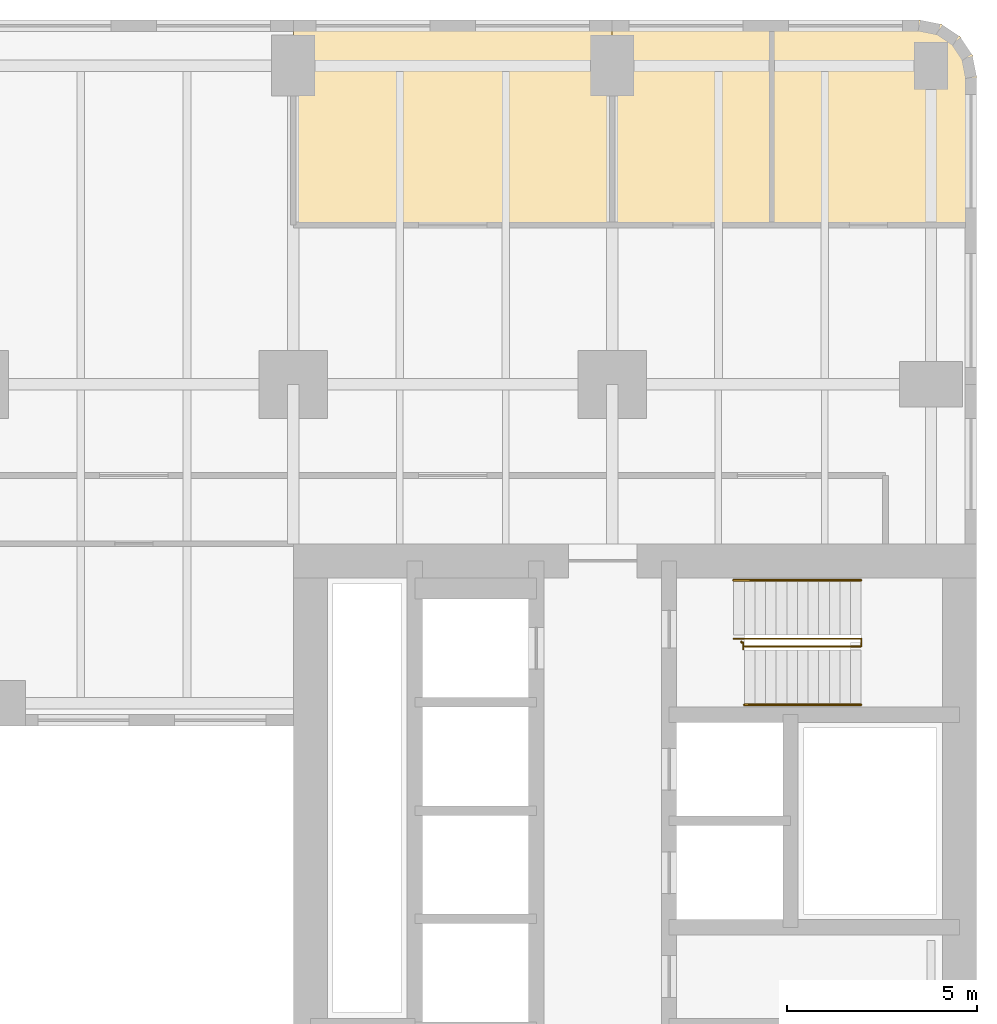
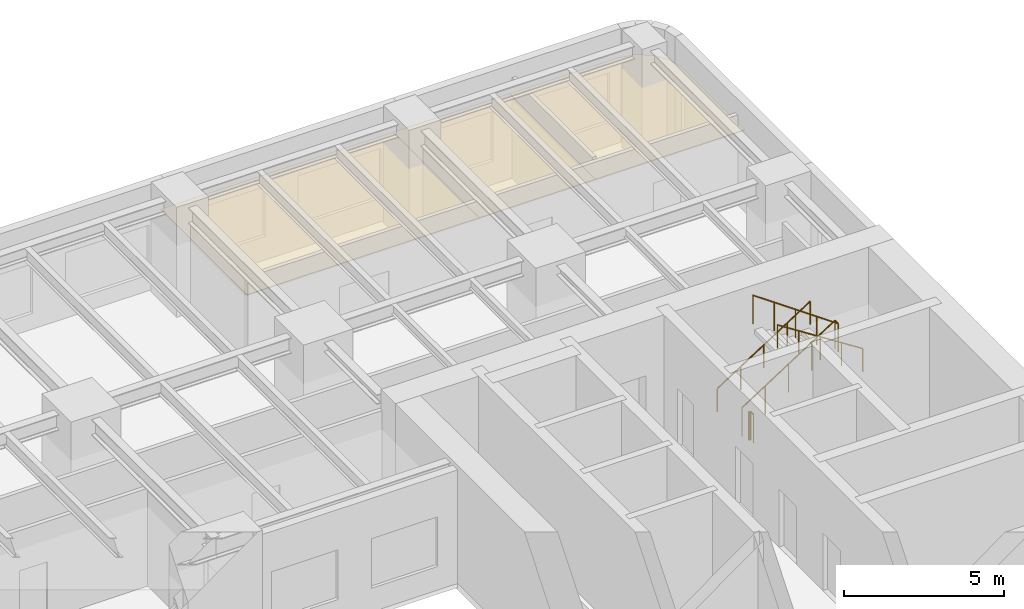
# One storey, part 14 of 14: 4 railings, 3 coverings.
"""IFC4 building model written with IfcOpenShell, lengths in metres."""

from ifc_helpers import new_model, si_unit, direction, frame, origin, origin_2d, place, context, subcontext, project, spatial, polyline, circle, outline, extrude, material, layer, layer_set, type_object, element, save


model = new_model("IFC4")

# Units and contexts
model_context = context("Model", 3, precision=1e-05, world=origin(), true_north=direction((0.0, 1.0)))
body_context = subcontext(model_context, "Body", "Model", "MODEL_VIEW")
ifc_project = project(units=[si_unit("LENGTHUNIT", "METRE"), si_unit("AREAUNIT", "SQUARE_METRE"), si_unit("VOLUMEUNIT", "CUBIC_METRE"), si_unit("PLANEANGLEUNIT", "RADIAN"), si_unit("MASSUNIT", "GRAM", prefix="KILO")], contexts=[model_context])

# Site, building, storey
site_placement = place(None, origin())
site = spatial("IfcSite", under=ifc_project, at=site_placement, CompositionType="ELEMENT")
building_placement = place(site_placement, origin())
building = spatial("IfcBuilding", under=site, at=building_placement, Name="Claustro Exchange Tower", CompositionType="ELEMENT")
storey_placement = place(building_placement, frame((0.0, 0.0, 23.39990234375)))
storey = spatial("IfcBuildingStorey", under=building, at=storey_placement, Name="L05", CompositionType="ELEMENT", Elevation=23.39990234375)

# Coverings
ifc_material_1 = material(Name="Gypsum board ceiling", Category="gypsum board")
ifc_layer = layer(ifc_material_1, 0.02490234375)
ifc_layer_set = layer_set([ifc_layer], Name="Gypsum board ceiling")
covering_type = type_object("IfcCoveringType", Name="CL2 plasterboard ceiling", PredefinedType="CEILING", material=ifc_layer_set)
covering_1_placement = place(storey_placement, frame((0.0, 0.0, 3.0)))
element("IfcCovering", 1, at=covering_1_placement, inside=storey, type_object=covering_type, Name="Ceiling CL2 L05-18", PredefinedType="CEILING", context=body_context, shape_type="SweptSolid", body=[
    extrude(outline(polyline([(42.0, 51.60009765625), (33.60009765625, 51.60009765625), (33.60009765625, 46.199951171875), (42.0, 46.199951171875), (42.0, 51.60009765625)])), origin(), (0.0, 0.0, 1.0), 0.025146484375),
])
covering_2_placement = place(storey_placement, frame((0.0, 0.0, 3.0)))
element("IfcCovering", 2, at=covering_2_placement, inside=storey, type_object=covering_type, Name="Ceiling CL2 L05-19", PredefinedType="CEILING", context=body_context, shape_type="SweptSolid", body=[
    extrude(outline(polyline([(46.199951171875, 51.60009765625), (42.0, 51.60009765625), (42.0, 46.199951171875), (46.199951171875, 46.199951171875), (46.199951171875, 51.60009765625)])), origin(), (0.0, 0.0, 1.0), 0.025146484375),
])
covering_3_placement = place(storey_placement, frame((0.0, 0.0, 3.0)))
element("IfcCovering", 3, at=covering_3_placement, inside=storey, type_object=covering_type, Name="Ceiling CL2 L05-20", PredefinedType="CEILING", context=body_context, shape_type="SweptSolid", body=[
    extrude(outline(polyline([(50.10009765625, 51.60009765625), (46.199951171875, 51.60009765625), (46.199951171875, 46.199951171875), (51.60009765625, 46.199951171875), (51.60009765625, 50.10009765625), (51.48583984375, 50.674072265625), (51.16064453125, 51.16064453125), (50.674072265625, 51.48583984375), (50.10009765625, 51.60009765625)])), origin(), (0.0, 0.0, 1.0), 0.025146484375),
])

# Railings
ifc_material_2 = material(Name="Steel balustrade, painted", Category="steel")
railing_type_1 = type_object("IfcRailingType", Name="GR2 1100 steel stair guard", PredefinedType="GUARDRAIL", material=ifc_material_2)
railing_1_placement = place(storey_placement, frame((45.199951171875, 35.300048828125, 0.18017578125)))
element("IfcRailing", 4, at=railing_1_placement, inside=storey, type_object=railing_type_1, Name="Stair well guard GR2 stair STEB L05", PredefinedType="GUARDRAIL", context=body_context, shape_type="SweptSolid", body=[
    extrude(circle(Radius=0.02392578125, at=origin_2d()), frame((0.0, 0.0, 1.076171875), z_axis=(0.84119634759, 0.0, 0.540729789082), x_axis=(0.0, 1.0, 0.0)), (0.0, 0.0, 1.0), 3.994384765625),
    extrude(circle(Radius=0.02392578125, at=origin_2d()), frame((3.360107421875, 0.0, 3.23583984375), z_axis=(0.0, -1.0, 0.0), x_axis=(1.0, 0.0, 0.0)), (0.0, 0.0, 1.0), 0.199951171875),
    extrude(circle(Radius=0.02392578125, at=origin_2d()), frame((3.360107421875, -0.199951171875, 3.23583984375), z_axis=(-0.8187499073, 0.0, 0.574150319426), x_axis=(0.0, -1.0, 0.0)), (0.0, 0.0, 1.0), 3.761962890625),
    extrude(circle(Radius=0.02099609375, at=origin_2d()), origin(), (0.0, 0.0, 1.0), 1.052001953125),
    extrude(circle(Radius=0.02099609375, at=origin_2d()), frame((0.840087890625, 0.0, 0.5400390625)), (0.0, 0.0, 1.0), 1.052001953125),
    extrude(circle(Radius=0.02099609375, at=origin_2d()), frame((1.68017578125, 0.0, 1.080078125)), (0.0, 0.0, 1.0), 1.052001953125),
    extrude(circle(Radius=0.02099609375, at=origin_2d()), frame((2.52001953125, 0.0, 1.619873046875)), (0.0, 0.0, 1.0), 1.052001953125),
    extrude(circle(Radius=0.02099609375, at=origin_2d()), frame((3.360107421875, 0.0, 2.159912109375)), (0.0, 0.0, 1.0), 1.052001953125),
    extrude(circle(Radius=0.02099609375, at=origin_2d()), frame((3.360107421875, -0.199951171875, 2.159912109375)), (0.0, 0.0, 1.0), 1.052001953125),
    extrude(circle(Radius=0.02099609375, at=origin_2d()), frame((2.590087890625, -0.199951171875, 2.699951171875)), (0.0, 0.0, 1.0), 1.052001953125),
    extrude(circle(Radius=0.02099609375, at=origin_2d()), frame((1.820068359375, -0.199951171875, 3.23974609375)), (0.0, 0.0, 1.0), 1.052001953125),
    extrude(circle(Radius=0.02099609375, at=origin_2d()), frame((1.050048828125, -0.199951171875, 3.77978515625)), (0.0, 0.0, 1.0), 1.052001953125),
    extrude(circle(Radius=0.02099609375, at=origin_2d()), frame((0.280029296875, -0.199951171875, 4.31982421875)), (0.0, 0.0, 1.0), 1.052001953125),
])
railing_2_placement = place(storey_placement, frame((45.39990234375, 35.22998046875, 0.0)))
element("IfcRailing", 5, at=railing_2_placement, inside=storey, type_object=railing_type_1, Name="Stair guard GR2 STEB L05", PredefinedType="GUARDRAIL", context=body_context, shape_type="SweptSolid", body=[
    extrude(circle(Radius=0.02392578125, at=origin_2d()), frame((0.0, 0.0, 1.076171875), z_axis=(0.0, -1.0, 0.0), x_axis=(1.0, 0.0, 0.0)), (0.0, 0.0, 1.0), 0.030029296875),
    extrude(circle(Radius=0.02392578125, at=origin_2d()), frame((0.0, -0.030029296875, 1.076171875), z_axis=(1.0, 0.0, 0.0), x_axis=(0.0, 1.0, 0.0)), (0.0, 0.0, 1.0), 0.05517578125),
    extrude(circle(Radius=0.02392578125, at=origin_2d()), frame((0.05517578125, -0.030029296875, 1.076171875), z_axis=(0.0, -1.0, 0.0), x_axis=(1.0, 0.0, 0.0)), (0.0, 0.0, 1.0), 0.179931640625),
    extrude(circle(Radius=0.02099609375, at=origin_2d()), origin(), (0.0, 0.0, 1.0), 1.052001953125),
    extrude(circle(Radius=0.02099609375, at=origin_2d()), frame((0.0, -0.030029296875, 0.0)), (0.0, 0.0, 1.0), 1.052001953125),
    extrude(circle(Radius=0.02099609375, at=origin_2d()), frame((0.05517578125, -0.030029296875, 0.0)), (0.0, 0.0, 1.0), 1.052001953125),
    extrude(circle(Radius=0.02099609375, at=origin_2d()), frame((0.05517578125, -0.2099609375, 0.0)), (0.0, 0.0, 1.0), 1.052001953125),
])
ifc_material_3 = material(Name="Stainless steel tube", Category="steel")
railing_type_2 = type_object("IfcRailingType", Name="HR1 900 stair handrail", PredefinedType="HANDRAIL", material=ifc_material_3)
railing_3_placement = place(storey_placement, frame((45.199951171875, 36.840087890625, 0.18017578125)))
element("IfcRailing", 6, at=railing_3_placement, inside=storey, type_object=railing_type_2, Name="Handrail HR1 stair STEB L05", PredefinedType="HANDRAIL", context=body_context, shape_type="SweptSolid", body=[
    extrude(circle(Radius=0.02392578125, at=origin_2d()), frame((0.0, 0.0, 0.8759765625), z_axis=(0.84119634759, 0.0, 0.540729789082), x_axis=(0.0, 1.0, 0.0)), (0.0, 0.0, 1.0), 3.994384765625),
    extrude(circle(Radius=0.02099609375, at=origin_2d()), origin(), (0.0, 0.0, 1.0), 0.851806640625),
    extrude(circle(Radius=0.02099609375, at=origin_2d()), frame((0.840087890625, 0.0, 0.5400390625)), (0.0, 0.0, 1.0), 0.851806640625),
    extrude(circle(Radius=0.02099609375, at=origin_2d()), frame((1.68017578125, 0.0, 1.080078125)), (0.0, 0.0, 1.0), 0.851806640625),
    extrude(circle(Radius=0.02099609375, at=origin_2d()), frame((2.52001953125, 0.0, 1.619873046875)), (0.0, 0.0, 1.0), 0.851806640625),
    extrude(circle(Radius=0.02099609375, at=origin_2d()), frame((3.360107421875, 0.0, 2.159912109375)), (0.0, 0.0, 1.0), 0.851806640625),
])
railing_4_placement = place(storey_placement, frame((48.56005859375, 33.56005859375, 2.52001953125)))
element("IfcRailing", 7, at=railing_4_placement, inside=storey, type_object=railing_type_2, Name="Handrail HR1 stair STEB L05", PredefinedType="HANDRAIL", context=body_context, shape_type="SweptSolid", body=[
    extrude(circle(Radius=0.02392578125, at=origin_2d()), frame((0.0, 0.0, 0.8759765625), z_axis=(-0.84118714077, 0.0, 0.540744111576), x_axis=(0.0, -1.0, 0.0)), (0.0, 0.0, 1.0), 3.66162109375),
    extrude(circle(Radius=0.02099609375, at=origin_2d()), origin(), (0.0, 0.0, 1.0), 0.851806640625),
    extrude(circle(Radius=0.02099609375, at=origin_2d()), frame((-0.77001953125, 0.0, 0.4951171875)), (0.0, 0.0, 1.0), 0.851806640625),
    extrude(circle(Radius=0.02099609375, at=origin_2d()), frame((-1.5400390625, 0.0, 0.989990234375)), (0.0, 0.0, 1.0), 0.851806640625),
    extrude(circle(Radius=0.02099609375, at=origin_2d()), frame((-2.31005859375, 0.0, 1.48486328125)), (0.0, 0.0, 1.0), 0.851806640625),
    extrude(circle(Radius=0.02099609375, at=origin_2d()), frame((-3.080078125, 0.0, 1.97998046875)), (0.0, 0.0, 1.0), 0.851806640625),
])

save(model, "model.ifc")
